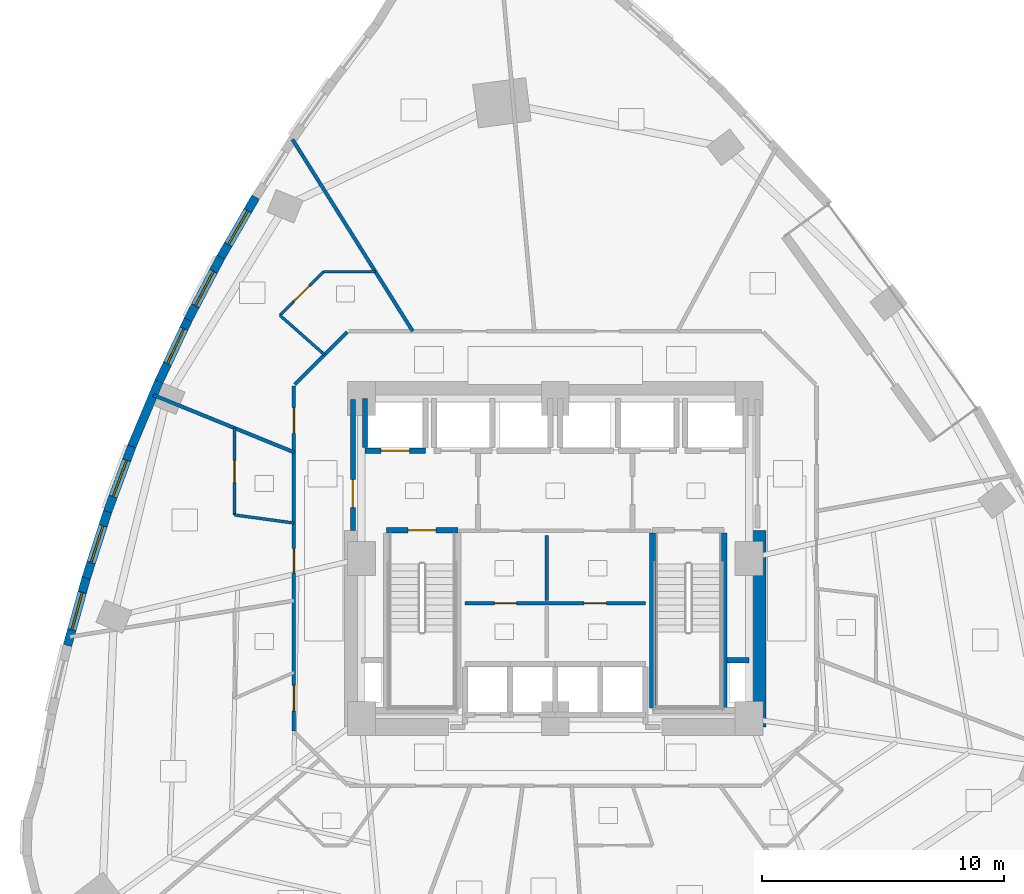
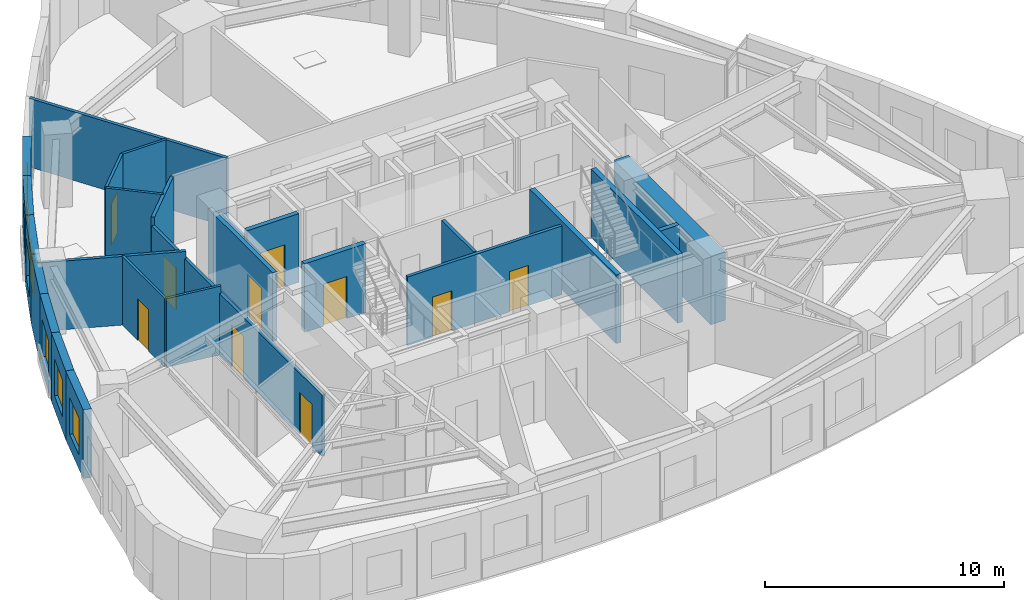
# One storey, part 9 of 15: 26 walls, 10 doors, 6 windows, 16 openings.
"""IFC4 building model written with IfcOpenShell, lengths in metres."""

from ifc_helpers import new_model, si_unit, direction, frame, frame_2d, origin, place, context, subcontext, project, spatial, rectangle, extrude, material, layer, layer_set, type_object, element, fill, save


model = new_model("IFC4")

# Units and contexts
model_context = context("Model", 3, precision=1e-05, world=origin(), true_north=direction((0.0, 1.0)))
body_context = subcontext(model_context, "Body", "Model", "MODEL_VIEW")
ifc_project = project(units=[si_unit("LENGTHUNIT", "METRE"), si_unit("AREAUNIT", "SQUARE_METRE"), si_unit("VOLUMEUNIT", "CUBIC_METRE"), si_unit("PLANEANGLEUNIT", "RADIAN"), si_unit("MASSUNIT", "GRAM", prefix="KILO")], contexts=[model_context])

# Site, building, storey
site_placement = place(None, origin())
site = spatial("IfcSite", under=ifc_project, at=site_placement, CompositionType="ELEMENT")
building_placement = place(site_placement, origin())
building = spatial("IfcBuilding", under=site, at=building_placement, Name="Ndelora Gate Hotel", CompositionType="ELEMENT")
storey_placement = place(building_placement, frame((0.0, 0.0, 53.0)))
storey = spatial("IfcBuildingStorey", under=building, at=storey_placement, Name="L12", CompositionType="ELEMENT", Elevation=53.0)

# Wall, opening, window
ifc_material_1 = material(Name="Clay Brick Masonry", Category="masonry")
ifc_layer_1 = layer(ifc_material_1, 0.360107421875)
ifc_layer_set_1 = layer_set([ifc_layer_1], Name="Clay Brick Masonry")
wall_type_1 = type_object("IfcWallType", Name="WL-BRICK-360", PredefinedType="SOLIDWALL", material=ifc_layer_set_1)
wall_1_placement = place(storey_placement, frame((-13.819580078125, 12.384765625, 0.0), z_axis=(0.0, 0.0, 1.0), x_axis=(0.501513234382, 0.865149972975, 0.0)))
wall_1 = element("IfcWall", 1, at=wall_1_placement, inside=storey, type_object=wall_type_1, Name="L12 Tower Brick Pier-and-Spandrel Wall TWR-12", PredefinedType="SOLIDWALL", context=body_context, shape_type="SweptSolid", body=[
    extrude(rectangle(XDim=2.92529296875, YDim=0.360107421875, at=frame_2d((1.462646484375, 0.0))), origin(), (0.0, 0.0, 1.0), 3.5),
])
opening_1_placement = place(wall_1_placement, frame((0.66259765625, 0.0, 0.719970703125)))
opening_1 = element("IfcOpeningElement", 2, at=opening_1_placement, cuts=wall_1, Name="Opening W01", PredefinedType="OPENING", context=body_context, shape_type="SweptSolid", body=[
    extrude(rectangle(XDim=1.60009765625, YDim=1.8798828125, at=frame_2d((0.800048828125, 0.93994140625))), frame((0.0, 0.18994140625, 0.0), z_axis=(0.0, -1.0, 0.0), x_axis=(1.0, 0.0, 0.0)), (0.0, 0.0, 1.0), 0.380126953125),
])
ifc_material_2 = material(Name="Insulated Low-E Double Glazing in Bronze Aluminium Frame", Category="aluminium")
window_type_1 = type_object("IfcWindowType", Name="WN-DEEP-1600", PartitioningType="SINGLE_PANEL", PredefinedType="WINDOW", material=ifc_material_2)
window_1_placement = place(opening_1_placement, origin())
window_1 = element("IfcWindow", 3, at=window_1_placement, inside=storey, type_object=window_type_1, Name="L12 Deep-Set Brick-Pier Window W01", OverallHeight=1.8798828125, OverallWidth=1.60009765625, PartitioningType="SINGLE_PANEL", PredefinedType="WINDOW", context=body_context, shape_type="SweptSolid", body=[
    extrude(rectangle(XDim=1.60009765625, YDim=1.8798828125, at=frame_2d((0.800048828125, 0.93994140625))), frame((0.0, 0.030029296875, 0.0), z_axis=(0.0, -1.0, 0.0), x_axis=(1.0, 0.0, 0.0)), (0.0, 0.0, 1.0), 0.06005859375),
])
fill(opening_1, window_1)

wall_2_placement = place(storey_placement, frame((-15.14892578125, 9.84716796875, 0.0), z_axis=(0.0, 0.0, 1.0), x_axis=(0.464385677237, 0.885633074573, 0.0)))
wall_2 = element("IfcWall", 4, at=wall_2_placement, inside=storey, type_object=wall_type_1, Name="L12 Tower Brick Pier-and-Spandrel Wall TWR-13", PredefinedType="SOLIDWALL", context=body_context, shape_type="SweptSolid", body=[
    extrude(rectangle(XDim=2.91455078125, YDim=0.360107421875, at=frame_2d((1.457275390625, 0.0))), origin(), (0.0, 0.0, 1.0), 3.5),
])
opening_2_placement = place(wall_2_placement, frame((0.657470703125, 0.0, 0.719970703125)))
opening_2 = element("IfcOpeningElement", 5, at=opening_2_placement, cuts=wall_2, Name="Opening W03", PredefinedType="OPENING", context=body_context, shape_type="SweptSolid", body=[
    extrude(rectangle(XDim=1.60009765625, YDim=1.8798828125, at=frame_2d((0.800048828125, 0.93994140625))), frame((0.0, 0.18994140625, 0.0), z_axis=(0.0, -1.0, 0.0), x_axis=(1.0, 0.0, 0.0)), (0.0, 0.0, 1.0), 0.380126953125),
])
window_type_2 = type_object("IfcWindowType", Name="WN-CORN-2100", PartitioningType="SINGLE_PANEL", PredefinedType="WINDOW", material=ifc_material_2)
window_2_placement = place(opening_2_placement, origin())
window_2 = element("IfcWindow", 6, at=window_2_placement, inside=storey, type_object=window_type_2, Name="L12 Deep-Set Brick-Pier Window W03", OverallHeight=1.8798828125, OverallWidth=1.60009765625, PartitioningType="SINGLE_PANEL", PredefinedType="WINDOW", context=body_context, shape_type="SweptSolid", body=[
    extrude(rectangle(XDim=1.60009765625, YDim=1.8798828125, at=frame_2d((0.800048828125, 0.93994140625))), frame((0.0, 0.030029296875, 0.0), z_axis=(0.0, -1.0, 0.0), x_axis=(1.0, 0.0, 0.0)), (0.0, 0.0, 1.0), 0.06005859375),
])
fill(opening_2, window_2)

wall_3_placement = place(storey_placement, frame((-16.36669921875, 7.259521484375, 0.0), z_axis=(0.0, 0.0, 1.0), x_axis=(0.426148545422, 0.904653202744, 0.0)))
wall_3 = element("IfcWall", 7, at=wall_3_placement, inside=storey, type_object=wall_type_1, Name="L12 Tower Brick Pier-and-Spandrel Wall TWR-14", PredefinedType="SOLIDWALL", context=body_context, shape_type="SweptSolid", body=[
    extrude(rectangle(XDim=2.90966796875, YDim=0.360107421875, at=frame_2d((1.454833984375, 0.0))), origin(), (0.0, 0.0, 1.0), 3.5),
])
opening_3_placement = place(wall_3_placement, frame((0.860107421875, 0.0, 0.719970703125)))
opening_3 = element("IfcOpeningElement", 8, at=opening_3_placement, cuts=wall_3, Name="Opening W01", PredefinedType="OPENING", context=body_context, shape_type="SweptSolid", body=[
    extrude(rectangle(XDim=1.60009765625, YDim=1.8798828125, at=frame_2d((0.800048828125, 0.93994140625))), frame((0.0, 0.18994140625, 0.0), z_axis=(0.0, -1.0, 0.0), x_axis=(1.0, 0.0, 0.0)), (0.0, 0.0, 1.0), 0.380126953125),
])
window_3_placement = place(opening_3_placement, origin())
window_3 = element("IfcWindow", 9, at=window_3_placement, inside=storey, type_object=window_type_1, Name="L12 Deep-Set Brick-Pier Window W01", OverallHeight=1.8798828125, OverallWidth=1.60009765625, PartitioningType="SINGLE_PANEL", PredefinedType="WINDOW", context=body_context, shape_type="SweptSolid", body=[
    extrude(rectangle(XDim=1.60009765625, YDim=1.8798828125, at=frame_2d((0.800048828125, 0.93994140625))), frame((0.0, 0.030029296875, 0.0), z_axis=(0.0, -1.0, 0.0), x_axis=(1.0, 0.0, 0.0)), (0.0, 0.0, 1.0), 0.06005859375),
])
fill(opening_3, window_3)

# Wall
wall_4_placement = place(storey_placement, frame((-17.472900390625, 4.622314453125, 0.0), z_axis=(0.0, 0.0, 1.0), x_axis=(0.387104109378, 0.922036012584, 0.0)))
element("IfcWall", 10, at=wall_4_placement, inside=storey, type_object=wall_type_1, Name="L12 Tower Brick Pier-and-Spandrel Wall TWR-15", PredefinedType="SOLIDWALL", context=body_context, shape_type="SweptSolid", body=[
    extrude(rectangle(XDim=2.909912109375, YDim=0.360107421875, at=frame_2d((1.455078125, 0.0))), origin(), (0.0, 0.0, 1.0), 3.5),
])

# Wall, opening, window
wall_5_placement = place(storey_placement, frame((-18.46728515625, 1.935791015625, 0.0), z_axis=(0.0, 0.0, 1.0), x_axis=(0.347513488828, 0.937674983714, 0.0)))
wall_5 = element("IfcWall", 11, at=wall_5_placement, inside=storey, type_object=wall_type_1, Name="L12 Tower Brick Pier-and-Spandrel Wall TWR-16", PredefinedType="SOLIDWALL", context=body_context, shape_type="SweptSolid", body=[
    extrude(rectangle(XDim=2.914794921875, YDim=0.360107421875, at=frame_2d((1.45751953125, 0.0))), origin(), (0.0, 0.0, 1.0), 3.5),
])
opening_4_placement = place(wall_5_placement, frame((0.657470703125, 0.0, 0.719970703125)))
opening_4 = element("IfcOpeningElement", 12, at=opening_4_placement, cuts=wall_5, Name="Opening W01", PredefinedType="OPENING", context=body_context, shape_type="SweptSolid", body=[
    extrude(rectangle(XDim=1.60009765625, YDim=1.8798828125, at=frame_2d((0.800048828125, 0.93994140625))), frame((0.0, 0.18994140625, 0.0), z_axis=(0.0, -1.0, 0.0), x_axis=(1.0, 0.0, 0.0)), (0.0, 0.0, 1.0), 0.380126953125),
])
window_4_placement = place(opening_4_placement, origin())
window_4 = element("IfcWindow", 13, at=window_4_placement, inside=storey, type_object=window_type_1, Name="L12 Deep-Set Brick-Pier Window W01", OverallHeight=1.8798828125, OverallWidth=1.60009765625, PartitioningType="SINGLE_PANEL", PredefinedType="WINDOW", context=body_context, shape_type="SweptSolid", body=[
    extrude(rectangle(XDim=1.60009765625, YDim=1.8798828125, at=frame_2d((0.800048828125, 0.93994140625))), frame((0.0, 0.030029296875, 0.0), z_axis=(0.0, -1.0, 0.0), x_axis=(1.0, 0.0, 0.0)), (0.0, 0.0, 1.0), 0.06005859375),
])
fill(opening_4, window_4)

wall_6_placement = place(storey_placement, frame((-19.349853515625, -0.80078125, 0.0), z_axis=(0.0, 0.0, 1.0), x_axis=(0.307375839582, 0.951588195199, 0.0)))
wall_6 = element("IfcWall", 14, at=wall_6_placement, inside=storey, type_object=wall_type_1, Name="L12 Tower Brick Pier-and-Spandrel Wall TWR-17", PredefinedType="SOLIDWALL", context=body_context, shape_type="SweptSolid", body=[
    extrude(rectangle(XDim=2.92529296875, YDim=0.360107421875, at=frame_2d((1.462646484375, 0.0))), origin(), (0.0, 0.0, 1.0), 3.5),
])
opening_5_placement = place(wall_6_placement, frame((0.66259765625, 0.0, 0.719970703125)))
opening_5 = element("IfcOpeningElement", 15, at=opening_5_placement, cuts=wall_6, Name="Opening W03", PredefinedType="OPENING", context=body_context, shape_type="SweptSolid", body=[
    extrude(rectangle(XDim=1.60009765625, YDim=1.8798828125, at=frame_2d((0.800048828125, 0.93994140625))), frame((0.0, 0.18994140625, 0.0), z_axis=(0.0, -1.0, 0.0), x_axis=(1.0, 0.0, 0.0)), (0.0, 0.0, 1.0), 0.380126953125),
])
window_5_placement = place(opening_5_placement, origin())
window_5 = element("IfcWindow", 16, at=window_5_placement, inside=storey, type_object=window_type_2, Name="L12 Deep-Set Brick-Pier Window W03", OverallHeight=1.8798828125, OverallWidth=1.60009765625, PartitioningType="SINGLE_PANEL", PredefinedType="WINDOW", context=body_context, shape_type="SweptSolid", body=[
    extrude(rectangle(XDim=1.60009765625, YDim=1.8798828125, at=frame_2d((0.800048828125, 0.93994140625))), frame((0.0, 0.030029296875, 0.0), z_axis=(0.0, -1.0, 0.0), x_axis=(1.0, 0.0, 0.0)), (0.0, 0.0, 1.0), 0.06005859375),
])
fill(opening_5, window_5)

wall_7_placement = place(storey_placement, frame((-20.12109375, -3.5869140625, 0.0), z_axis=(0.0, 0.0, 1.0), x_axis=(0.267147156335, 0.963655746033, 0.0)))
wall_7 = element("IfcWall", 17, at=wall_7_placement, inside=storey, type_object=wall_type_1, Name="L12 Tower Brick Pier-and-Spandrel Wall TWR-18", PredefinedType="SOLIDWALL", context=body_context, shape_type="SweptSolid", body=[
    extrude(rectangle(XDim=2.94091796875, YDim=0.360107421875, at=frame_2d((1.470458984375, 0.0))), origin(), (0.0, 0.0, 1.0), 3.5),
])
opening_6_placement = place(wall_7_placement, frame((0.67041015625, 0.0, 0.719970703125)))
opening_6 = element("IfcOpeningElement", 18, at=opening_6_placement, cuts=wall_7, Name="Opening W01", PredefinedType="OPENING", context=body_context, shape_type="SweptSolid", body=[
    extrude(rectangle(XDim=1.60009765625, YDim=1.8798828125, at=frame_2d((0.800048828125, 0.93994140625))), frame((0.0, 0.18994140625, 0.0), z_axis=(0.0, -1.0, 0.0), x_axis=(1.0, 0.0, 0.0)), (0.0, 0.0, 1.0), 0.380126953125),
])
window_6_placement = place(opening_6_placement, origin())
window_6 = element("IfcWindow", 19, at=window_6_placement, inside=storey, type_object=window_type_1, Name="L12 Deep-Set Brick-Pier Window W01", OverallHeight=1.8798828125, OverallWidth=1.60009765625, PartitioningType="SINGLE_PANEL", PredefinedType="WINDOW", context=body_context, shape_type="SweptSolid", body=[
    extrude(rectangle(XDim=1.60009765625, YDim=1.8798828125, at=frame_2d((0.800048828125, 0.93994140625))), frame((0.0, 0.030029296875, 0.0), z_axis=(0.0, -1.0, 0.0), x_axis=(1.0, 0.0, 0.0)), (0.0, 0.0, 1.0), 0.06005859375),
])
fill(opening_6, window_6)

# Wall
ifc_material_3 = material(Name="Concrete C60/75", Category="concrete")
ifc_layer_2 = layer(ifc_material_3, 0.699951171875)
ifc_layer_set_2 = layer_set([ifc_layer_2], Name="Concrete C60/75")
wall_type_2 = type_object("IfcWallType", Name="WL-CORE-700", PredefinedType="SHEAR", material=ifc_layer_set_2)
wall_8_placement = place(storey_placement, frame((8.35009765625, -6.949951171875, 0.0), z_axis=(0.0, 0.0, 1.0), x_axis=(0.0, 1.0, 0.0)))
element("IfcWall", 20, at=wall_8_placement, inside=storey, type_object=wall_type_2, Name="L12 Core Shear Wall E", PredefinedType="SHEAR", context=body_context, shape_type="SweptSolid", body=[
    extrude(rectangle(XDim=8.099853515625, YDim=0.699951171875, at=frame_2d((4.0498046875, 0.0))), origin(), (0.0, 0.0, 1.0), 3.5),
])

# Wall, opening, door
ifc_material_4 = material(Name="Concrete C40/50", Category="concrete")
ifc_layer_3 = layer(ifc_material_4, 0.199951171875)
ifc_layer_set_3 = layer_set([ifc_layer_3], Name="Concrete C40/50")
wall_type_3 = type_object("IfcWallType", Name="WL-FIRE-200", PredefinedType="PARTITIONING", material=ifc_layer_set_3)
wall_9_placement = place(storey_placement, frame((-8.35009765625, 1.14990234375, 0.0), z_axis=(0.0, 0.0, 1.0), x_axis=(0.0, 1.0, 0.0)))
wall_9 = element("IfcWall", 21, at=wall_9_placement, inside=storey, type_object=wall_type_3, Name="L12 Interior Wall IW-2", PredefinedType="PARTITIONING", context=body_context, shape_type="SweptSolid", body=[
    extrude(rectangle(XDim=5.400146484375, YDim=0.199951171875, at=frame_2d((2.7001953125, 0.0))), origin(), (0.0, 0.0, 1.0), 3.5),
])
opening_7_placement = place(wall_9_placement, frame((0.949951171875, 0.0, 0.0)))
opening_7 = element("IfcOpeningElement", 22, at=opening_7_placement, cuts=wall_9, Name="Opening FD1", PredefinedType="OPENING", context=body_context, shape_type="SweptSolid", body=[
    extrude(rectangle(XDim=1.14990234375, YDim=2.14990234375, at=frame_2d((0.574951171875, 1.074951171875))), frame((0.0, 0.10986328125, 0.0), z_axis=(0.0, -1.0, 0.0), x_axis=(1.0, 0.0, 0.0)), (0.0, 0.0, 1.0), 0.219970703125),
])
ifc_material_5 = material(Name="Fire-Rated Timber-Veneer Steel Core", Category="steel")
door_type_1 = type_object("IfcDoorType", Name="DR-FD60", OperationType="SINGLE_SWING_LEFT", PredefinedType="DOOR", material=ifc_material_5)
door_1_placement = place(opening_7_placement, origin())
door_1 = element("IfcDoor", 23, at=door_1_placement, inside=storey, type_object=door_type_1, Name="L12 Firefighting Lobby West Corridor Door", OperationType="SINGLE_SWING_LEFT", OverallHeight=2.14990234375, OverallWidth=1.14990234375, PredefinedType="DOOR", context=body_context, shape_type="SweptSolid", body=[
    extrude(rectangle(XDim=1.14990234375, YDim=2.14990234375, at=frame_2d((0.574951171875, 1.074951171875))), frame((0.0, 0.02490234375, 0.0), z_axis=(0.0, -1.0, 0.0), x_axis=(1.0, 0.0, 0.0)), (0.0, 0.0, 1.0), 0.050048828125),
])
fill(opening_7, door_1)

# Wall, openings, doors
ifc_material_6 = material(Name="Fire-Rated Gypsum Stud Partition", Category="gypsum")
ifc_layer_4 = layer(ifc_material_6, 0.14990234375)
ifc_layer_set_4 = layer_set([ifc_layer_4], Name="Fire-Rated Gypsum Stud Partition")
wall_type_4 = type_object("IfcWallType", Name="WL-PART-150", PredefinedType="PARTITIONING", material=ifc_layer_set_4)
wall_10_placement = place(storey_placement, frame((-3.719970703125, -1.85009765625, 0.0), z_axis=(0.0, 0.0, 1.0), x_axis=(1.0, 0.0, 0.0)))
wall_10 = element("IfcWall", 24, at=wall_10_placement, inside=storey, type_object=wall_type_4, Name="L12 Interior Wall IW-5", PredefinedType="PARTITIONING", context=body_context, shape_type="SweptSolid", body=[
    extrude(rectangle(XDim=7.43994140625, YDim=0.14990234375, at=frame_2d((3.719970703125, 0.0))), origin(), (0.0, 0.0, 1.0), 3.5),
])
opening_8_placement = place(wall_10_placement, frame((1.2099609375, 0.0, 0.0)))
opening_8 = element("IfcOpeningElement", 25, at=opening_8_placement, cuts=wall_10, Name="Opening D04", PredefinedType="OPENING", context=body_context, shape_type="SweptSolid", body=[
    extrude(rectangle(XDim=0.919921875, YDim=2.050048828125, at=frame_2d((0.4599609375, 1.02490234375))), frame((0.0, 0.0849609375, 0.0), z_axis=(0.0, -1.0, 0.0), x_axis=(1.0, 0.0, 0.0)), (0.0, 0.0, 1.0), 0.169921875),
])
opening_9_placement = place(wall_10_placement, frame((4.909912109375, 0.0, 0.0)))
opening_9 = element("IfcOpeningElement", 26, at=opening_9_placement, cuts=wall_10, Name="Opening D04", PredefinedType="OPENING", context=body_context, shape_type="SweptSolid", body=[
    extrude(rectangle(XDim=0.919921875, YDim=2.050048828125, at=frame_2d((0.4599609375, 1.02490234375))), frame((0.0, 0.0849609375, 0.0), z_axis=(0.0, -1.0, 0.0), x_axis=(1.0, 0.0, 0.0)), (0.0, 0.0, 1.0), 0.169921875),
])
ifc_material_7 = material(Name="Painted Steel Core Service Door", Category="steel")
door_type_2 = type_object("IfcDoorType", Name="DR-SER-920", OperationType="SINGLE_SWING_LEFT", PredefinedType="DOOR", material=ifc_material_7)
door_2_placement = place(opening_8_placement, origin())
door_2 = element("IfcDoor", 27, at=door_2_placement, inside=storey, type_object=door_type_2, Name="L12 Core Service Internal Door", OperationType="SINGLE_SWING_LEFT", OverallHeight=2.050048828125, OverallWidth=0.919921875, PredefinedType="DOOR", context=body_context, shape_type="SweptSolid", body=[
    extrude(rectangle(XDim=0.919921875, YDim=2.050048828125, at=frame_2d((0.4599609375, 1.02490234375))), frame((0.0, 0.02490234375, 0.0), z_axis=(0.0, -1.0, 0.0), x_axis=(1.0, 0.0, 0.0)), (0.0, 0.0, 1.0), 0.050048828125),
])
fill(opening_8, door_2)
door_3_placement = place(opening_9_placement, origin())
door_3 = element("IfcDoor", 28, at=door_3_placement, inside=storey, type_object=door_type_2, Name="L12 Core Service Internal Door", OperationType="SINGLE_SWING_LEFT", OverallHeight=2.050048828125, OverallWidth=0.919921875, PredefinedType="DOOR", context=body_context, shape_type="SweptSolid", body=[
    extrude(rectangle(XDim=0.919921875, YDim=2.050048828125, at=frame_2d((0.4599609375, 1.02490234375))), frame((0.0, 0.02490234375, 0.0), z_axis=(0.0, -1.0, 0.0), x_axis=(1.0, 0.0, 0.0)), (0.0, 0.0, 1.0), 0.050048828125),
])
fill(opening_9, door_3)

# Walls
wall_11_placement = place(storey_placement, frame((-0.35009765625, -1.72998046875, 0.0), z_axis=(0.0, 0.0, 1.0), x_axis=(0.0, 1.0, 0.0)))
element("IfcWall", 29, at=wall_11_placement, inside=storey, type_object=wall_type_4, Name="L12 Interior Wall IW-5", PredefinedType="PARTITIONING", context=body_context, shape_type="SweptSolid", body=[
    extrude(rectangle(XDim=2.679931640625, YDim=0.14990234375, at=frame_2d((1.33984375, 0.0))), origin(), (0.0, 0.0, 1.0), 3.5),
])
wall_12_placement = place(storey_placement, frame((-10.751708984375, 7.17822265625, 0.0), z_axis=(0.0, 0.0, 1.0), x_axis=(0.707067066127, 0.707146494016, 0.0)))
element("IfcWall", 30, at=wall_12_placement, inside=storey, type_object=wall_type_4, Name="L12 Interior Wall IW-5", PredefinedType="PARTITIONING", context=body_context, shape_type="SweptSolid", body=[
    extrude(rectangle(XDim=3.07373046875, YDim=0.14990234375, at=frame_2d((1.536865234375, 0.0))), origin(), (0.0, 0.0, 1.0), 3.5),
])

# Wall, openings, doors
wall_13_placement = place(storey_placement, frame((-10.780029296875, -7.110107421875, 0.0), z_axis=(0.0, 0.0, 1.0), x_axis=(0.0, 1.0, 0.0)))
wall_13 = element("IfcWall", 31, at=wall_13_placement, inside=storey, type_object=wall_type_4, Name="L12 Interior Wall IW-5", PredefinedType="PARTITIONING", context=body_context, shape_type="SweptSolid", body=[
    extrude(rectangle(XDim=14.22021484375, YDim=0.14990234375, at=frame_2d((7.110107421875, 0.0))), origin(), (0.0, 0.0, 1.0), 3.1201171875),
])
opening_10_placement = place(wall_13_placement, frame((12.277587890625, 0.0, 0.0)))
opening_10 = element("IfcOpeningElement", 32, at=opening_10_placement, cuts=wall_13, Name="Opening D07", PredefinedType="OPENING", context=body_context, shape_type="SweptSolid", body=[
    extrude(rectangle(XDim=1.06005859375, YDim=2.14990234375, at=frame_2d((0.530029296875, 1.074951171875))), frame((0.0, 0.0849609375, 0.0), z_axis=(0.0, -1.0, 0.0), x_axis=(1.0, 0.0, 0.0)), (0.0, 0.0, 1.0), 0.169921875),
])
opening_11_placement = place(wall_13_placement, frame((6.521484375, 0.0, 0.0)))
opening_11 = element("IfcOpeningElement", 33, at=opening_11_placement, cuts=wall_13, Name="Opening D01", PredefinedType="OPENING", context=body_context, shape_type="SweptSolid", body=[
    extrude(rectangle(XDim=1.0, YDim=2.14990234375, at=frame_2d((0.5, 1.074951171875))), frame((0.0, 0.0849609375, 0.0), z_axis=(0.0, -1.0, 0.0), x_axis=(1.0, 0.0, 0.0)), (0.0, 0.0, 1.0), 0.169921875),
])
opening_12_placement = place(wall_13_placement, frame((0.813232421875, 0.0, 0.0)))
opening_12 = element("IfcOpeningElement", 34, at=opening_12_placement, cuts=wall_13, Name="Opening D07", PredefinedType="OPENING", context=body_context, shape_type="SweptSolid", body=[
    extrude(rectangle(XDim=1.06005859375, YDim=2.14990234375, at=frame_2d((0.530029296875, 1.074951171875))), frame((0.0, 0.0849609375, 0.0), z_axis=(0.0, -1.0, 0.0), x_axis=(1.0, 0.0, 0.0)), (0.0, 0.0, 1.0), 0.169921875),
])
ifc_material_8 = material(Name="Acoustic Hardwood Guest Entrance Door", Category="wood")
door_type_3 = type_object("IfcDoorType", Name="DR-COR-1000", OperationType="SINGLE_SWING_LEFT", PredefinedType="DOOR", material=ifc_material_8)
door_4_placement = place(opening_11_placement, origin())
door_4 = element("IfcDoor", 35, at=door_4_placement, inside=storey, type_object=door_type_3, Name="L12 Executive King Guest Room 1505 Entrance Door", OperationType="SINGLE_SWING_LEFT", OverallHeight=2.14990234375, OverallWidth=1.0, PredefinedType="DOOR", context=body_context, shape_type="SweptSolid", body=[
    extrude(rectangle(XDim=1.0, YDim=2.14990234375, at=frame_2d((0.5, 1.074951171875))), frame((0.0, 0.02490234375, 0.0), z_axis=(0.0, -1.0, 0.0), x_axis=(1.0, 0.0, 0.0)), (0.0, 0.0, 1.0), 0.050048828125),
])
fill(opening_11, door_4)
ifc_material_9 = material(Name="Diplomatic Suite Acoustic Entrance Door", Category="wood")
door_type_4 = type_object("IfcDoorType", Name="DR-SUITE-1060", OperationType="SINGLE_SWING_LEFT", PredefinedType="DOOR", material=ifc_material_9)
door_5_placement = place(opening_10_placement, origin())
door_5 = element("IfcDoor", 36, at=door_5_placement, inside=storey, type_object=door_type_4, Name="L12 Corner Diplomatic Suite 1504 Entrance Door", OperationType="SINGLE_SWING_RIGHT", OverallHeight=2.14990234375, OverallWidth=1.06005859375, PredefinedType="DOOR", context=body_context, shape_type="SweptSolid", body=[
    extrude(rectangle(XDim=1.06005859375, YDim=2.14990234375, at=frame_2d((0.530029296875, 1.074951171875))), frame((0.0, 0.02490234375, 0.0), z_axis=(0.0, -1.0, 0.0), x_axis=(1.0, 0.0, 0.0)), (0.0, 0.0, 1.0), 0.050048828125),
])
fill(opening_10, door_5)
door_6_placement = place(opening_12_placement, origin())
door_6 = element("IfcDoor", 37, at=door_6_placement, inside=storey, type_object=door_type_4, Name="L12 Superior Double Junior Suite 1506 Entrance Door", OperationType="SINGLE_SWING_RIGHT", OverallHeight=2.14990234375, OverallWidth=1.06005859375, PredefinedType="DOOR", context=body_context, shape_type="SweptSolid", body=[
    extrude(rectangle(XDim=1.06005859375, YDim=2.14990234375, at=frame_2d((0.530029296875, 1.074951171875))), frame((0.0, 0.02490234375, 0.0), z_axis=(0.0, -1.0, 0.0), x_axis=(1.0, 0.0, 0.0)), (0.0, 0.0, 1.0), 0.050048828125),
])
fill(opening_12, door_6)

# Walls
wall_14_placement = place(storey_placement, frame((-5.881103515625, 9.3798828125, 0.0), z_axis=(0.0, 0.0, 1.0), x_axis=(-0.531202169705, 0.847245097301, 0.0)))
element("IfcWall", 38, at=wall_14_placement, inside=storey, type_object=wall_type_4, Name="L12 Interior Wall IW-5", PredefinedType="PARTITIONING", context=body_context, shape_type="SweptSolid", body=[
    extrude(rectangle(XDim=9.333984375, YDim=0.14990234375, at=frame_2d((4.6669921875, 0.0))), origin(), (0.0, 0.0, 1.0), 3.5),
])
wall_15_placement = place(storey_placement, frame((-10.780029296875, 4.38525390625, 0.0), z_axis=(0.0, 0.0, 1.0), x_axis=(-0.926285946265, 0.376821371146, 0.0)))
element("IfcWall", 39, at=wall_15_placement, inside=storey, type_object=wall_type_4, Name="L12 Interior Wall IW-5", PredefinedType="PARTITIONING", context=body_context, shape_type="SweptSolid", body=[
    extrude(rectangle(XDim=6.26318359375, YDim=0.14990234375, at=frame_2d((3.131591796875, 0.0))), origin(), (0.0, 0.0, 1.0), 3.5),
])
ifc_layer_5 = layer(ifc_material_4, 0.219970703125)
ifc_layer_set_5 = layer_set([ifc_layer_5], Name="Concrete C40/50")
wall_type_5 = type_object("IfcWallType", Name="WL-SHAFT-220", PredefinedType="PARTITIONING", material=ifc_layer_set_5)
wall_16_placement = place(storey_placement, frame((7.090087890625, -4.199951171875, 0.0), z_axis=(0.0, 0.0, 1.0), x_axis=(1.0, 0.0, 0.0)))
element("IfcWall", 40, at=wall_16_placement, inside=storey, type_object=wall_type_5, Name="L12 Interior Wall IW-1", PredefinedType="PARTITIONING", context=body_context, shape_type="SweptSolid", body=[
    extrude(rectangle(XDim=0.909912109375, YDim=0.219970703125, at=frame_2d((0.455078125, 0.0))), origin(), (0.0, 0.0, 1.0), 3.5),
])

# Wall, opening, door
wall_17_placement = place(storey_placement, frame((-7.85009765625, 4.449951171875, 0.0), z_axis=(0.0, 0.0, 1.0), x_axis=(1.0, 0.0, 0.0)))
wall_17 = element("IfcWall", 41, at=wall_17_placement, inside=storey, type_object=wall_type_5, Name="L12 Interior Wall IW-1", PredefinedType="PARTITIONING", context=body_context, shape_type="SweptSolid", body=[
    extrude(rectangle(XDim=2.5, YDim=0.219970703125, at=frame_2d((1.25, 0.0))), origin(), (0.0, 0.0, 1.0), 3.5),
])
opening_13_placement = place(wall_17_placement, frame((0.659912109375, 0.0, 0.0)))
opening_13 = element("IfcOpeningElement", 42, at=opening_13_placement, cuts=wall_17, Name="Opening LD5", PredefinedType="OPENING", context=body_context, shape_type="SweptSolid", body=[
    extrude(rectangle(XDim=1.179931640625, YDim=2.14990234375, at=frame_2d((0.58984375, 1.074951171875))), frame((0.0, 0.1201171875, 0.0), z_axis=(0.0, -1.0, 0.0), x_axis=(1.0, 0.0, 0.0)), (0.0, 0.0, 1.0), 0.239990234375),
])
ifc_material_10 = material(Name="Firefighting Lift Stainless Sliding Landing Door", Category="metal")
door_type_5 = type_object("IfcDoorType", Name="DR-LD5", OperationType="DOUBLE_DOOR_SLIDING", PredefinedType="DOOR", material=ifc_material_10)
door_7_placement = place(opening_13_placement, origin())
door_7 = element("IfcDoor", 43, at=door_7_placement, inside=storey, type_object=door_type_5, Name="L12 Lift Landing Sliding Door FFL1", OperationType="DOUBLE_DOOR_SLIDING", OverallHeight=2.14990234375, OverallWidth=1.179931640625, PredefinedType="DOOR", context=body_context, shape_type="SweptSolid", body=[
    extrude(rectangle(XDim=1.179931640625, YDim=2.14990234375, at=frame_2d((0.58984375, 1.074951171875))), frame((0.0, 0.02490234375, 0.0), z_axis=(0.0, -1.0, 0.0), x_axis=(1.0, 0.0, 0.0)), (0.0, 0.0, 1.0), 0.050048828125),
])
fill(opening_13, door_7)

# Wall
wall_18_placement = place(storey_placement, frame((-7.85009765625, 4.570068359375, 0.0), z_axis=(0.0, 0.0, 1.0), x_axis=(0.0, 1.0, 0.0)))
element("IfcWall", 44, at=wall_18_placement, inside=storey, type_object=wall_type_5, Name="L12 Interior Wall IW-1", PredefinedType="PARTITIONING", context=body_context, shape_type="SweptSolid", body=[
    extrude(rectangle(XDim=2.030029296875, YDim=0.219970703125, at=frame_2d((1.01513671875, 0.0))), origin(), (0.0, 0.0, 1.0), 3.080078125),
])

# Wall, opening, door
ifc_material_11 = material(Name="Concrete C50/60", Category="concrete")
ifc_layer_6 = layer(ifc_material_11, 0.239990234375)
ifc_layer_set_6 = layer_set([ifc_layer_6], Name="Concrete C50/60")
wall_type_6 = type_object("IfcWallType", Name="WL-STAIR-240", PredefinedType="SHEAR", material=ifc_layer_set_6)
wall_19_placement = place(storey_placement, frame((-6.969970703125, 1.169921875, 0.0), z_axis=(0.0, 0.0, 1.0), x_axis=(1.0, 0.0, 0.0)))
wall_19 = element("IfcWall", 45, at=wall_19_placement, inside=storey, type_object=wall_type_6, Name="L12 Stair Core Shear Wall SW-ST", PredefinedType="SHEAR", context=body_context, shape_type="SweptSolid", body=[
    extrude(rectangle(XDim=2.9599609375, YDim=0.239990234375, at=frame_2d((1.47998046875, 0.0))), origin(), (0.0, 0.0, 1.0), 3.5),
])
opening_14_placement = place(wall_19_placement, frame((0.89990234375, 0.0, 0.0)))
opening_14 = element("IfcOpeningElement", 46, at=opening_14_placement, cuts=wall_19, Name="Opening FD1", PredefinedType="OPENING", context=body_context, shape_type="SweptSolid", body=[
    extrude(rectangle(XDim=1.14990234375, YDim=2.14990234375, at=frame_2d((0.574951171875, 1.074951171875))), frame((0.0, 0.1298828125, 0.0), z_axis=(0.0, -1.0, 0.0), x_axis=(1.0, 0.0, 0.0)), (0.0, 0.0, 1.0), 0.260009765625),
])
door_8_placement = place(opening_14_placement, origin())
door_8 = element("IfcDoor", 47, at=door_8_placement, inside=storey, type_object=door_type_1, Name="L12 Exit Stair ST4 Door", OperationType="SINGLE_SWING_LEFT", OverallHeight=2.14990234375, OverallWidth=1.14990234375, PredefinedType="DOOR", context=body_context, shape_type="SweptSolid", body=[
    extrude(rectangle(XDim=1.14990234375, YDim=2.14990234375, at=frame_2d((0.574951171875, 1.074951171875))), frame((0.0, 0.02490234375, 0.0), z_axis=(0.0, -1.0, 0.0), x_axis=(1.0, 0.0, 0.0)), (0.0, 0.0, 1.0), 0.050048828125),
])
fill(opening_14, door_8)

# Walls
for number, where, z_axis, x_axis, name in (
    (48, (4.010009765625, -6.159912109375, 0.0), (0.0, 0.0, 1.0), (0.0, 1.0, 0.0), "L12 Stair Core Shear Wall SW-ST"),
    (49, (6.969970703125, -6.159912109375, 0.0), (0.0, 0.0, 1.0), (0.0, 1.0, 0.0), "L12 Stair Core Shear Wall SW-ST"),
):
    element("IfcWall", number, at=place(storey_placement, frame(where, z_axis=z_axis, x_axis=x_axis)), inside=storey, type_object=wall_type_6, Name=name, PredefinedType="SHEAR", context=body_context, shape_type="SweptSolid", body=[
        extrude(rectangle(XDim=7.219970703125, YDim=0.239990234375, at=frame_2d((3.60986328125, 0.0))), origin(), (0.0, 0.0, 1.0), 3.5),
    ])
ifc_material_12 = material(Name="Moisture-Resistant Bathroom Tile Partition", Category="gypsum")
ifc_layer_7 = layer(ifc_material_12, 0.1201171875)
ifc_layer_set_7 = layer_set([ifc_layer_7], Name="Moisture-Resistant Bathroom Tile Partition")
wall_type_7 = type_object("IfcWallType", Name="WL-WET-120", PredefinedType="PARTITIONING", material=ifc_layer_set_7)
wall_20_placement = place(storey_placement, frame((-9.520263671875, 8.409912109375, 0.0), z_axis=(0.0, 0.0, 1.0), x_axis=(-0.749512689339, 0.661989976147, 0.0)))
element("IfcWall", 50, at=wall_20_placement, inside=storey, type_object=wall_type_7, Name="L12 Interior Wall IW-7", PredefinedType="PARTITIONING", context=body_context, shape_type="SweptSolid", body=[
    extrude(rectangle(XDim=2.454833984375, YDim=0.1201171875, at=frame_2d((1.2275390625, 0.0))), origin(), (0.0, 0.0, 1.0), 3.5),
])

# Wall, opening, door
wall_21_placement = place(storey_placement, frame((-11.360107421875, 10.034912109375, 0.0), z_axis=(0.0, 0.0, 1.0), x_axis=(0.707154859159, 0.707058699945, 0.0)))
wall_21 = element("IfcWall", 51, at=wall_21_placement, inside=storey, type_object=wall_type_7, Name="L12 Interior Wall IW-7", PredefinedType="PARTITIONING", context=body_context, shape_type="SweptSolid", body=[
    extrude(rectangle(XDim=2.538818359375, YDim=0.1201171875, at=frame_2d((1.26953125, 0.0))), origin(), (0.0, 0.0, 1.0), 3.5),
])
opening_15_placement = place(wall_21_placement, frame((0.809326171875, 0.0, 0.0)))
opening_15 = element("IfcOpeningElement", 52, at=opening_15_placement, cuts=wall_21, Name="Opening D03", PredefinedType="OPENING", context=body_context, shape_type="SweptSolid", body=[
    extrude(rectangle(XDim=0.919921875, YDim=2.10009765625, at=frame_2d((0.4599609375, 1.050048828125))), frame((0.0, 0.070068359375, 0.0), z_axis=(0.0, -1.0, 0.0), x_axis=(1.0, 0.0, 0.0)), (0.0, 0.0, 1.0), 0.14013671875),
])
ifc_material_13 = material(Name="Moisture-Resistant Hardwood En-Suite Door", Category="wood")
door_type_6 = type_object("IfcDoorType", Name="DR-BATH-920", OperationType="SINGLE_SWING_LEFT", PredefinedType="DOOR", material=ifc_material_13)
door_9_placement = place(opening_15_placement, origin())
door_9 = element("IfcDoor", 53, at=door_9_placement, inside=storey, type_object=door_type_6, Name="L12 En-suite Bathroom 1504 Door", OperationType="SINGLE_SWING_LEFT", OverallHeight=2.10009765625, OverallWidth=0.919921875, PredefinedType="DOOR", context=body_context, shape_type="SweptSolid", body=[
    extrude(rectangle(XDim=0.919921875, YDim=2.10009765625, at=frame_2d((0.4599609375, 1.050048828125))), frame((0.0, 0.02490234375, 0.0), z_axis=(0.0, -1.0, 0.0), x_axis=(1.0, 0.0, 0.0)), (0.0, 0.0, 1.0), 0.050048828125),
])
fill(opening_15, door_9)

# Walls
wall_22_placement = place(storey_placement, frame((-7.417236328125, 11.830078125, 0.0), z_axis=(0.0, 0.0, 1.0), x_axis=(-1.0, 0.0, 0.0)))
element("IfcWall", 54, at=wall_22_placement, inside=storey, type_object=wall_type_7, Name="L12 Interior Wall IW-7", PredefinedType="PARTITIONING", context=body_context, shape_type="SweptSolid", body=[
    extrude(rectangle(XDim=2.1474609375, YDim=0.1201171875, at=frame_2d((1.07373046875, 0.0))), origin(), (0.0, 0.0, 1.0), 3.5),
])
wall_23_placement = place(storey_placement, frame((-10.780029296875, 1.464599609375, 0.0), z_axis=(0.0, 0.0, 1.0), x_axis=(-0.990901533964, 0.134588818215, 0.0)))
element("IfcWall", 55, at=wall_23_placement, inside=storey, type_object=wall_type_7, Name="L12 Interior Wall IW-7", PredefinedType="PARTITIONING", context=body_context, shape_type="SweptSolid", body=[
    extrude(rectangle(XDim=2.472412109375, YDim=0.1201171875, at=frame_2d((1.236328125, 0.0))), origin(), (0.0, 0.0, 1.0), 3.5),
])

# Wall, opening, door
wall_24_placement = place(storey_placement, frame((-13.22998046875, 1.79736328125, 0.0), z_axis=(0.0, 0.0, 1.0), x_axis=(0.0, 1.0, 0.0)))
wall_24 = element("IfcWall", 56, at=wall_24_placement, inside=storey, type_object=wall_type_7, Name="L12 Interior Wall IW-7", PredefinedType="PARTITIONING", context=body_context, shape_type="SweptSolid", body=[
    extrude(rectangle(XDim=3.584716796875, YDim=0.1201171875, at=frame_2d((1.79248046875, 0.0))), origin(), (0.0, 0.0, 1.0), 3.5),
])
opening_16_placement = place(wall_24_placement, frame((1.332275390625, 0.0, 0.0)))
opening_16 = element("IfcOpeningElement", 57, at=opening_16_placement, cuts=wall_24, Name="Opening D03", PredefinedType="OPENING", context=body_context, shape_type="SweptSolid", body=[
    extrude(rectangle(XDim=0.919921875, YDim=2.10009765625, at=frame_2d((0.4599609375, 1.050048828125))), frame((0.0, 0.070068359375, 0.0), z_axis=(0.0, -1.0, 0.0), x_axis=(1.0, 0.0, 0.0)), (0.0, 0.0, 1.0), 0.14013671875),
])
door_10_placement = place(opening_16_placement, origin())
door_10 = element("IfcDoor", 58, at=door_10_placement, inside=storey, type_object=door_type_6, Name="L12 En-suite Bathroom 1505 Door", OperationType="SINGLE_SWING_RIGHT", OverallHeight=2.10009765625, OverallWidth=0.919921875, PredefinedType="DOOR", context=body_context, shape_type="SweptSolid", body=[
    extrude(rectangle(XDim=0.919921875, YDim=2.10009765625, at=frame_2d((0.4599609375, 1.050048828125))), frame((0.0, 0.02490234375, 0.0), z_axis=(0.0, -1.0, 0.0), x_axis=(1.0, 0.0, 0.0)), (0.0, 0.0, 1.0), 0.050048828125),
])
fill(opening_16, door_10)

save(model, "model.ifc")
